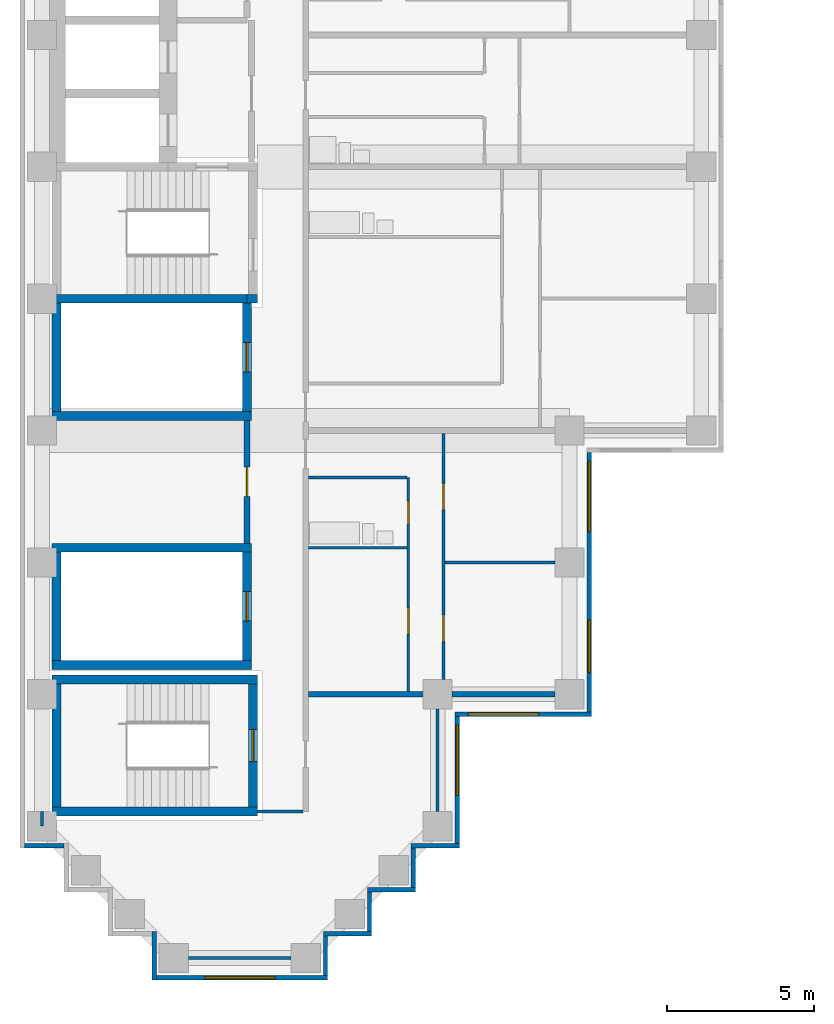
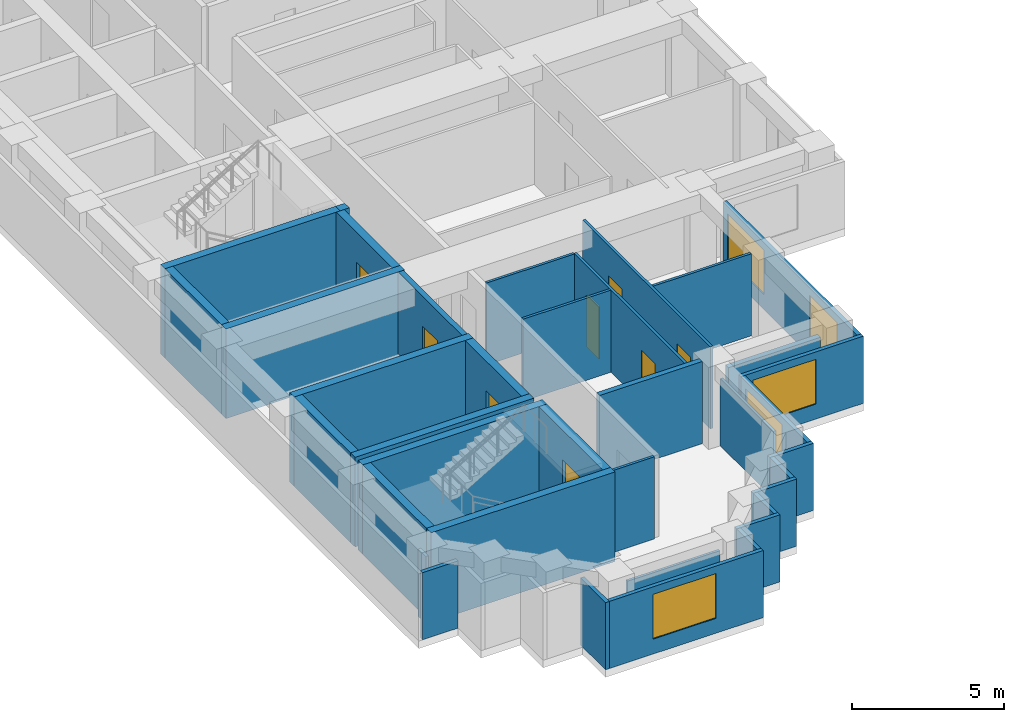
# One storey, part 2 of 11: 37 walls, 8 doors, 5 windows, 13 openings.
"""IFC4 building model written with IfcOpenShell, lengths in metres."""

import ifcopenshell
import ifcopenshell.guid

model = None  # the IFC model being written
_history = None  # IfcOwnerHistory: only IFC2X3 demands one
_inside = {}  # id of a spatial element -> (the spatial element, [elements in it])
_under = {}  # id of a project, library or spatial element -> (it, [spatial elements below it])
_declared = {}  # id of a project -> (the project, [libraries it declares])
_typed = {}  # id of a type object -> (the type object, [elements of that type])
_made_of = {}  # id of a material, layer set ... -> (it, [elements and type objects made of it])


def new_model(schema):
    """Start an empty IFC model of exactly this schema.

    Asked for "IFC4X3", IfcOpenShell would pick the latest addendum, in which some entities
    have other attributes; the version numbers below select the first issue.
    IFC2X3 requires an IfcOwnerHistory on every rooted entity: one is made here for all.
    """
    global model, _history
    if schema == "IFC4X3":
        model = ifcopenshell.file(schema_version=(4, 3, 0, 0))
    else:
        model = ifcopenshell.file(schema=schema)
    _inside.clear()
    _under.clear()
    _declared.clear()
    _typed.clear()
    _made_of.clear()
    _history = None
    if model.schema == "IFC2X3":
        org = make("IfcOrganization", Name="unknown")
        user = make(
            "IfcPersonAndOrganization",
            ThePerson=make("IfcPerson", FamilyName="unknown"),
            TheOrganization=org,
        )
        app = make(
            "IfcApplication",
            ApplicationDeveloper=org,
            Version="unknown",
            ApplicationFullName="unknown",
            ApplicationIdentifier="unknown",
        )
        _history = make(
            "IfcOwnerHistory",
            OwningUser=user,
            OwningApplication=app,
            ChangeAction="ADDED",
            CreationDate=0,
        )
    return model


def make(cls, **values):
    """One entity of the class cls with the attributes given. An attribute that is None is left unset."""
    return model.create_entity(
        cls, **{name: value for name, value in values.items() if value is not None}
    )


def rooted(cls, **values):
    """An entity with a GlobalId (a new one), such as an element, a storey or a relation."""
    return make(cls, GlobalId=ifcopenshell.guid.new(), OwnerHistory=_history, **values)


def si_unit(unit_type, name, prefix=None):
    """IfcSIUnit, for example si_unit("LENGTHUNIT", "METRE", prefix="MILLI")."""
    return make("IfcSIUnit", UnitType=unit_type, Prefix=prefix, Name=name)


def assignment(units):
    """IfcUnitAssignment: the units of a project."""
    return None if units is None else make("IfcUnitAssignment", Units=units)


def point(xyz):
    """IfcCartesianPoint."""
    return None if xyz is None else make("IfcCartesianPoint", Coordinates=xyz)


def direction(xyz):
    """IfcDirection."""
    return None if xyz is None else make("IfcDirection", DirectionRatios=xyz)


def frame(location, z_axis=None, x_axis=None):
    """IfcAxis2Placement3D, a coordinate frame: its origin and axes. An axis left out is left unset."""
    return make(
        "IfcAxis2Placement3D",
        Location=point(location),
        Axis=direction(z_axis),
        RefDirection=direction(x_axis),
    )


def frame_2d(location, x_axis=None):
    """IfcAxis2Placement2D, a coordinate frame in the plane: its origin and x axis."""
    return make(
        "IfcAxis2Placement2D", Location=point(location), RefDirection=direction(x_axis)
    )


def origin():
    """The frame at (0, 0, 0) with its axes left unset."""
    return frame((0.0, 0.0, 0.0))


def place(relative_to, where):
    """IfcLocalPlacement: puts the frame where relative to a parent placement (None: the world)."""
    return make(
        "IfcLocalPlacement", PlacementRelTo=relative_to, RelativePlacement=where
    )


def context(
    kind, dimensions, precision=None, world=None, true_north=None, identifier=None
):
    """IfcGeometricRepresentationContext, for example the 3D "Model" context."""
    return make(
        "IfcGeometricRepresentationContext",
        ContextIdentifier=identifier,
        ContextType=kind,
        CoordinateSpaceDimension=dimensions,
        Precision=precision,
        WorldCoordinateSystem=world,
        TrueNorth=true_north,
    )


def subcontext(parent, identifier, kind, view, scale=None):
    """IfcGeometricRepresentationSubContext, for example "Body" below "Model"."""
    return make(
        "IfcGeometricRepresentationSubContext",
        ContextIdentifier=identifier,
        ContextType=kind,
        ParentContext=parent,
        TargetScale=scale,
        TargetView=view,
    )


def project(units=None, contexts=None):
    """IfcProject with its units and contexts."""
    return rooted(
        "IfcProject",
        Name="project",
        RepresentationContexts=contexts,
        UnitsInContext=assignment(units),
    )


def spatial(cls, under=None, at=None, **own):
    """A site, building, storey or space (cls), placed at a placement, below another one or the project."""
    s = rooted(cls, ObjectPlacement=at, **own)
    if under is not None:
        _under.setdefault(under.id(), (under, []))[1].append(s)
    return s


def profile(cls, at=None, kind="AREA", **sizes):
    """A parametric profile (cls). Its sizes go by their IFC names, for example OverallWidth=200.0."""
    return make(cls, ProfileType=kind, Position=at, **sizes)


def rectangle(**sizes):
    """IfcRectangleProfileDef."""
    return profile("IfcRectangleProfileDef", **sizes)


def extrude(swept, where, along, depth):
    """IfcExtrudedAreaSolid: the profile swept, set in the frame where, extruded along a direction by depth."""
    return make(
        "IfcExtrudedAreaSolid",
        SweptArea=swept,
        Position=where,
        ExtrudedDirection=direction(along),
        Depth=depth,
    )


def shape(context_of_items, identifier, shape_type, items):
    """IfcShapeRepresentation: the items that make up one representation, for example the "Body"."""
    return make(
        "IfcShapeRepresentation",
        ContextOfItems=context_of_items,
        RepresentationIdentifier=identifier,
        RepresentationType=shape_type,
        Items=items,
    )


def material(Name=None, Category=None):
    """IfcMaterial."""
    return make("IfcMaterial", Name=Name, Category=Category)


def layer(
    of_material, thickness, ventilated=None, Name=None, Category=None, Priority=None
):
    """IfcMaterialLayer: one layer of a wall or slab, of a material (None: an air gap)."""
    return make(
        "IfcMaterialLayer",
        Material=of_material,
        LayerThickness=thickness,
        IsVentilated=ventilated,
        Name=Name,
        Category=Category,
        Priority=Priority,
    )


def layer_set(layers, Name=None):
    """IfcMaterialLayerSet."""
    return make("IfcMaterialLayerSet", MaterialLayers=layers, LayerSetName=Name)


def made_of(thing, what):
    """Note that an element or type object is made of a material, layer set ...; save() writes the relation."""
    if what is not None:
        _made_of.setdefault(what.id(), (what, []))[1].append(thing)
    return thing


def type_object(cls, material=None, **own):
    """A type object (cls), such as IfcWallType, which elements share."""
    return made_of(rooted(cls, **own), material)


def element(
    cls,
    number,
    at=None,
    inside=None,
    cuts=None,
    type_object=None,
    material=None,
    context=None,
    identifier="Body",
    shape_type=None,
    held_by="IfcProductDefinitionShape",
    body=None,
    shapes=None,
    **own,
):
    """One element of the class cls, such as IfcWall. Its Tag is "e" and its number.

    at: its placement. inside: the storey or other place that contains it. cuts: it is an
    opening in that element (IfcRelVoidsElement). A single representation is given by context,
    identifier, shape_type and body (its items); several are given by shapes. held_by: the class
    of the entity that holds the representations. save() writes the other relations.
    """
    e = rooted(cls, Tag="e%d" % number, ObjectPlacement=at, **own)
    if body is not None:
        shapes = [shape(context, identifier, shape_type, body)]
    if shapes is not None:
        e.Representation = make(held_by, Representations=shapes)
    if inside is not None:
        _inside.setdefault(inside.id(), (inside, []))[1].append(e)
    if cuts is not None:
        rooted(
            "IfcRelVoidsElement", RelatingBuildingElement=cuts, RelatedOpeningElement=e
        )
    if type_object is not None:
        _typed.setdefault(type_object.id(), (type_object, []))[1].append(e)
    return made_of(e, material)


def fill(opening, filler):
    """IfcRelFillsElement: the door or window that sits in an opening."""
    return rooted(
        "IfcRelFillsElement",
        RelatingOpeningElement=opening,
        RelatedBuildingElement=filler,
    )


def aggregate(whole, parts):
    """IfcRelAggregates: a whole, such as a stair, and the parts it consists of."""
    return rooted("IfcRelAggregates", RelatingObject=whole, RelatedObjects=parts)


def save(model, path):
    """Write the relations noted so far, then the file.

    IfcRelAggregates (storeys below a building ...), IfcRelContainedInSpatialStructure (elements
    in a storey), IfcRelDefinesByType, IfcRelAssociatesMaterial and IfcRelDeclares: one each for
    every whole, place, type object, material and project.
    """
    for whole, parts in _under.values():
        aggregate(whole, parts)
    for where, things in _inside.values():
        rooted(
            "IfcRelContainedInSpatialStructure",
            RelatedElements=things,
            RelatingStructure=where,
        )
    for kind, things in _typed.values():
        rooted("IfcRelDefinesByType", RelatedObjects=things, RelatingType=kind)
    for what, things in _made_of.values():
        rooted("IfcRelAssociatesMaterial", RelatedObjects=things, RelatingMaterial=what)
    for by, libraries in _declared.values():
        rooted("IfcRelDeclares", RelatingContext=by, RelatedDefinitions=libraries)
    model.write(path)


model = new_model("IFC4")

# Units and contexts
model_context = context("Model", 3, precision=1e-05, world=origin(), true_north=direction((0.0, 1.0)))
body_context = subcontext(model_context, "Body", "Model", "MODEL_VIEW")
ifc_project = project(units=[si_unit("LENGTHUNIT", "METRE"), si_unit("AREAUNIT", "SQUARE_METRE"), si_unit("VOLUMEUNIT", "CUBIC_METRE"), si_unit("PLANEANGLEUNIT", "RADIAN"), si_unit("MASSUNIT", "GRAM", prefix="KILO")], contexts=[model_context])

# Site, building, storey
site_placement = place(None, origin())
site = spatial("IfcSite", under=ifc_project, at=site_placement, CompositionType="ELEMENT")
building_placement = place(site_placement, origin())
building = spatial("IfcBuilding", under=site, at=building_placement, Name="Firuza Court", CompositionType="ELEMENT")
storey_placement = place(building_placement, frame((0.0, 0.0, 130.39990234375)))
storey = spatial("IfcBuildingStorey", under=building, at=storey_placement, Name="L32", CompositionType="ELEMENT", Elevation=130.39990234375)

# Walls
ifc_material_1 = material(Name="Moisture-resistant gypsum board partition")
ifc_layer_1 = layer(ifc_material_1, 0.10009765625)
ifc_layer_set_1 = layer_set([ifc_layer_1], Name="Moisture-resistant gypsum board partition")
wall_type_1 = type_object("IfcWallType", Name="Bathroom partition 100", PredefinedType="PLUMBINGWALL", material=ifc_layer_set_1)
for number, where, z_axis, x_axis, name in (
    (1, (9.10009765625, 14.0, 0.0), (0.0, 0.0, 1.0), (1.0, 0.0, 0.0), "Bathroom partition 100 L32"),
    (2, (9.10009765625, 16.39990234375, 0.0), (0.0, 0.0, 1.0), (1.0, 0.0, 0.0), "Bathroom partition 100 L32"),
):
    element("IfcWall", number, at=place(storey_placement, frame(where, z_axis=z_axis, x_axis=x_axis)), inside=storey, type_object=wall_type_1, Name=name, PredefinedType="PLUMBINGWALL", context=body_context, shape_type="SweptSolid", body=[
        extrude(rectangle(XDim=3.349853515625, YDim=0.10009765625, at=frame_2d((1.6748046875, 0.0))), origin(), (0.0, 0.0, 1.0), 3.300048828125),
    ])
ifc_material_2 = material(Name="Concrete C60/75", Category="concrete")
ifc_layer_2 = layer(ifc_material_2, 0.300048828125)
ifc_layer_set_2 = layer_set([ifc_layer_2], Name="Concrete C60/75")
wall_type_2 = type_object("IfcWallType", Name="Core wall 300 C60/75", PredefinedType="SHEAR", material=ifc_layer_set_2)
for number, where, z_axis, x_axis, name in (
    (3, (0.35009765625, 5.0, -0.2998046875), (0.0, 0.0, 1.0), (1.0, 0.0, 0.0), "Core wall stair L32"),
    (4, (0.35009765625, 9.5, -0.2998046875), (0.0, 0.0, 1.0), (1.0, 0.0, 0.0), "Core wall stair L32"),
):
    element("IfcWall", number, at=place(storey_placement, frame(where, z_axis=z_axis, x_axis=x_axis)), inside=storey, type_object=wall_type_2, Name=name, PredefinedType="SHEAR", context=body_context, shape_type="SweptSolid", body=[
        extrude(rectangle(XDim=7.0, YDim=0.300048828125, at=frame_2d((3.5, 0.0))), origin(), (0.0, 0.0, 1.0), 3.599853515625),
    ])
for number, where, z_axis, x_axis, name in (
    (5, (0.35009765625, 10.0, -0.2998046875), (0.0, 0.0, 1.0), (1.0, 0.0, 0.0), "Core wall riser L32"),
    (6, (0.35009765625, 14.0, -0.2998046875), (0.0, 0.0, 1.0), (1.0, 0.0, 0.0), "Core wall riser L32"),
    (7, (0.35009765625, 18.5, -0.2998046875), (0.0, 0.0, 1.0), (1.0, 0.0, 0.0), "Core wall riser L32"),
):
    element("IfcWall", number, at=place(storey_placement, frame(where, z_axis=z_axis, x_axis=x_axis)), inside=storey, type_object=wall_type_2, Name=name, PredefinedType="SHEAR", context=body_context, shape_type="SweptSolid", body=[
        extrude(rectangle(XDim=6.7998046875, YDim=0.300048828125, at=frame_2d((3.39990234375, 0.0))), origin(), (0.0, 0.0, 1.0), 3.599853515625),
    ])
wall_1_placement = place(storey_placement, frame((0.35009765625, 22.5, -0.2998046875), z_axis=(0.0, 0.0, 1.0), x_axis=(1.0, 0.0, 0.0)))
element("IfcWall", 8, at=wall_1_placement, inside=storey, type_object=wall_type_2, Name="Core wall riser L32", PredefinedType="SHEAR", context=body_context, shape_type="SweptSolid", body=[
    extrude(rectangle(XDim=6.64990234375, YDim=0.300048828125, at=frame_2d((3.324951171875, 0.0))), origin(), (0.0, 0.0, 1.0), 3.599853515625),
])
wall_2_placement = place(storey_placement, frame((0.5, 5.14990234375, -0.2998046875), z_axis=(0.0, 0.0, 1.0), x_axis=(0.0, 1.0, 0.0)))
element("IfcWall", 9, at=wall_2_placement, inside=storey, type_object=wall_type_2, Name="Core wall stair L32", PredefinedType="SHEAR", context=body_context, shape_type="SweptSolid", body=[
    extrude(rectangle(XDim=4.2001953125, YDim=0.300048828125, at=frame_2d((2.10009765625, 0.0))), origin(), (0.0, 0.0, 1.0), 3.599853515625),
])
for number, where, z_axis, x_axis, name in (
    (10, (0.5, 10.14990234375, -0.2998046875), (0.0, 0.0, 1.0), (0.0, 1.0, 0.0), "Core wall riser L32"),
    (11, (0.5, 18.64990234375, -0.2998046875), (0.0, 0.0, 1.0), (0.0, 1.0, 0.0), "Core wall riser L32"),
):
    element("IfcWall", number, at=place(storey_placement, frame(where, z_axis=z_axis, x_axis=x_axis)), inside=storey, type_object=wall_type_2, Name=name, PredefinedType="SHEAR", context=body_context, shape_type="SweptSolid", body=[
        extrude(rectangle(XDim=3.7001953125, YDim=0.300048828125, at=frame_2d((1.85009765625, 0.0))), origin(), (0.0, 0.0, 1.0), 3.599853515625),
    ])

# Wall, opening, door
wall_3_placement = place(storey_placement, frame((7.0, 10.14990234375, -0.2998046875), z_axis=(0.0, 0.0, 1.0), x_axis=(0.0, 1.0, 0.0)))
wall_3 = element("IfcWall", 12, at=wall_3_placement, inside=storey, type_object=wall_type_2, Name="Core wall riser L32", PredefinedType="SHEAR", context=body_context, shape_type="SweptSolid", body=[
    extrude(rectangle(XDim=3.7001953125, YDim=0.300048828125, at=frame_2d((1.85009765625, 0.0))), origin(), (0.0, 0.0, 1.0), 3.599853515625),
])
opening_1_placement = place(wall_3_placement, frame((1.35009765625, 0.0, 0.300048828125)))
opening_1 = element("IfcOpeningElement", 13, at=opening_1_placement, cuts=wall_3, Name="Opening D32011", PredefinedType="OPENING", context=body_context, shape_type="SweptSolid", body=[
    extrude(rectangle(XDim=1.0, YDim=2.10009765625, at=frame_2d((0.5, 1.050048828125))), frame((0.0, 0.162109375, 0.0), z_axis=(0.0, -1.0, 0.0), x_axis=(1.0, 0.0, 0.0)), (0.0, 0.0, 1.0), 0.323974609375),
])
ifc_material_3 = material(Name="Timber door leaf in hardwood frame", Category="wood")
door_type_1 = type_object("IfcDoorType", Name="Riser door 1000", OperationType="SINGLE_SWING_LEFT", PredefinedType="DOOR", material=ifc_material_3)
door_1_placement = place(opening_1_placement, origin())
door_1 = element("IfcDoor", 14, at=door_1_placement, inside=storey, type_object=door_type_1, Name="Riser door R4", OperationType="SINGLE_SWING_LEFT", OverallHeight=2.10009765625, OverallWidth=1.0, PredefinedType="DOOR", context=body_context, shape_type="SweptSolid", body=[
    extrude(rectangle(XDim=1.0, YDim=2.10009765625, at=frame_2d((0.5, 1.050048828125))), frame((0.0, 0.02490234375, 0.0), z_axis=(0.0, -1.0, 0.0), x_axis=(1.0, 0.0, 0.0)), (0.0, 0.0, 1.0), 0.050048828125),
])
fill(opening_1, door_1)

wall_4_placement = place(storey_placement, frame((7.0, 18.64990234375, -0.2998046875), z_axis=(0.0, 0.0, 1.0), x_axis=(0.0, 1.0, 0.0)))
wall_4 = element("IfcWall", 15, at=wall_4_placement, inside=storey, type_object=wall_type_2, Name="Core wall riser L32", PredefinedType="SHEAR", context=body_context, shape_type="SweptSolid", body=[
    extrude(rectangle(XDim=3.7001953125, YDim=0.300048828125, at=frame_2d((1.85009765625, 0.0))), origin(), (0.0, 0.0, 1.0), 3.599853515625),
])
opening_2_placement = place(wall_4_placement, frame((1.35009765625, 0.0, 0.300048828125)))
opening_2 = element("IfcOpeningElement", 16, at=opening_2_placement, cuts=wall_4, Name="Opening D32009", PredefinedType="OPENING", context=body_context, shape_type="SweptSolid", body=[
    extrude(rectangle(XDim=1.0, YDim=2.10009765625, at=frame_2d((0.5, 1.050048828125))), frame((0.0, 0.162109375, 0.0), z_axis=(0.0, -1.0, 0.0), x_axis=(1.0, 0.0, 0.0)), (0.0, 0.0, 1.0), 0.323974609375),
])
door_2_placement = place(opening_2_placement, origin())
door_2 = element("IfcDoor", 17, at=door_2_placement, inside=storey, type_object=door_type_1, Name="Riser door R1", OperationType="SINGLE_SWING_LEFT", OverallHeight=2.10009765625, OverallWidth=1.0, PredefinedType="DOOR", context=body_context, shape_type="SweptSolid", body=[
    extrude(rectangle(XDim=1.0, YDim=2.10009765625, at=frame_2d((0.5, 1.050048828125))), frame((0.0, 0.02490234375, 0.0), z_axis=(0.0, -1.0, 0.0), x_axis=(1.0, 0.0, 0.0)), (0.0, 0.0, 1.0), 0.050048828125),
])
fill(opening_2, door_2)

# Wall
wall_5_placement = place(storey_placement, frame((7.0, 22.5, -0.2998046875), z_axis=(0.0, 0.0, 1.0), x_axis=(1.0, 0.0, 0.0)))
element("IfcWall", 18, at=wall_5_placement, inside=storey, type_object=wall_type_2, Name="Core wall stair L32", PredefinedType="SHEAR", context=body_context, shape_type="SweptSolid", body=[
    extrude(rectangle(XDim=0.35009765625, YDim=0.300048828125, at=frame_2d((0.175048828125, 0.0))), origin(), (0.0, 0.0, 1.0), 3.599853515625),
])

# Wall, opening, door
wall_6_placement = place(storey_placement, frame((7.199951171875, 5.14990234375, -0.2998046875), z_axis=(0.0, 0.0, 1.0), x_axis=(0.0, 1.0, 0.0)))
wall_6 = element("IfcWall", 19, at=wall_6_placement, inside=storey, type_object=wall_type_2, Name="Core wall stair L32", PredefinedType="SHEAR", context=body_context, shape_type="SweptSolid", body=[
    extrude(rectangle(XDim=4.2001953125, YDim=0.300048828125, at=frame_2d((2.10009765625, 0.0))), origin(), (0.0, 0.0, 1.0), 3.599853515625),
])
opening_3_placement = place(wall_6_placement, frame((1.550048828125, 0.0, 0.300048828125)))
opening_3 = element("IfcOpeningElement", 20, at=opening_3_placement, cuts=wall_6, Name="Opening D32017", PredefinedType="OPENING", context=body_context, shape_type="SweptSolid", body=[
    extrude(rectangle(XDim=1.10009765625, YDim=2.10009765625, at=frame_2d((0.550048828125, 1.050048828125))), frame((0.0, 0.162109375, 0.0), z_axis=(0.0, -1.0, 0.0), x_axis=(1.0, 0.0, 0.0)), (0.0, 0.0, 1.0), 0.323974609375),
])
ifc_material_4 = material(Name="Timber door leaf in hardwood frame", Category="wood")
door_type_2 = type_object("IfcDoorType", Name="Stair door 1100", OperationType="SINGLE_SWING_LEFT", PredefinedType="DOOR", material=ifc_material_4)
door_3_placement = place(opening_3_placement, origin())
door_3 = element("IfcDoor", 21, at=door_3_placement, inside=storey, type_object=door_type_2, Name="Stair door S5", OperationType="SINGLE_SWING_LEFT", OverallHeight=2.10009765625, OverallWidth=1.10009765625, PredefinedType="DOOR", context=body_context, shape_type="SweptSolid", body=[
    extrude(rectangle(XDim=1.10009765625, YDim=2.10009765625, at=frame_2d((0.550048828125, 1.050048828125))), frame((0.0, 0.02490234375, 0.0), z_axis=(0.0, -1.0, 0.0), x_axis=(1.0, 0.0, 0.0)), (0.0, 0.0, 1.0), 0.050048828125),
])
fill(opening_3, door_3)

ifc_material_5 = material(Name="Blockwork, plastered both sides", Category="masonry")
ifc_layer_3 = layer(ifc_material_5, 0.199951171875)
ifc_layer_set_3 = layer_set([ifc_layer_3], Name="Blockwork, plastered both sides")
wall_type_3 = type_object("IfcWallType", Name="Corridor wall 200", PredefinedType="PARTITIONING", material=ifc_layer_set_3)
wall_7_placement = place(storey_placement, frame((7.0, 14.14990234375, 0.0), z_axis=(0.0, 0.0, 1.0), x_axis=(0.0, 1.0, 0.0)))
wall_7 = element("IfcWall", 22, at=wall_7_placement, inside=storey, type_object=wall_type_3, Name="Corridor wall 200 L32", PredefinedType="PARTITIONING", context=body_context, shape_type="SweptSolid", body=[
    extrude(rectangle(XDim=4.2001953125, YDim=0.199951171875, at=frame_2d((2.10009765625, 0.0))), origin(), (0.0, 0.0, 1.0), 3.300048828125),
])
opening_4_placement = place(wall_7_placement, frame((1.60009765625, 0.0, 0.0)))
opening_4 = element("IfcOpeningElement", 23, at=opening_4_placement, cuts=wall_7, Name="Opening D32026", PredefinedType="OPENING", context=body_context, shape_type="SweptSolid", body=[
    extrude(rectangle(XDim=1.0, YDim=2.10009765625, at=frame_2d((0.5, 1.050048828125))), frame((0.0, 0.11181640625, 0.0), z_axis=(0.0, -1.0, 0.0), x_axis=(1.0, 0.0, 0.0)), (0.0, 0.0, 1.0), 0.223876953125),
])
ifc_material_6 = material(Name="Timber door leaf in hardwood frame", Category="wood")
door_type_3 = type_object("IfcDoorType", Name="Store door 1000", OperationType="SINGLE_SWING_LEFT", PredefinedType="DOOR", material=ifc_material_6)
door_4_placement = place(opening_4_placement, origin())
door_4 = element("IfcDoor", 24, at=door_4_placement, inside=storey, type_object=door_type_3, Name="Comms room door", OperationType="SINGLE_SWING_LEFT", OverallHeight=2.10009765625, OverallWidth=1.0, PredefinedType="DOOR", context=body_context, shape_type="SweptSolid", body=[
    extrude(rectangle(XDim=1.0, YDim=2.10009765625, at=frame_2d((0.5, 1.050048828125))), frame((0.0, 0.02490234375, 0.0), z_axis=(0.0, -1.0, 0.0), x_axis=(1.0, 0.0, 0.0)), (0.0, 0.0, 1.0), 0.050048828125),
])
fill(opening_4, door_4)

# Walls
ifc_material_7 = material(Name="Timber stud partition, plasterboard both sides", Category="wood")
ifc_layer_4 = layer(ifc_material_7, 0.10009765625)
ifc_layer_set_4 = layer_set([ifc_layer_4], Name="Timber stud partition, plasterboard both sides")
wall_type_4 = type_object("IfcWallType", Name="Partition wall 100", PredefinedType="PARTITIONING", material=ifc_layer_set_4)
wall_8_placement = place(storey_placement, frame((5.0, 0.0, 0.0), z_axis=(0.0, 0.0, 1.0), x_axis=(1.0, 0.0, 0.0)))
element("IfcWall", 25, at=wall_8_placement, inside=storey, type_object=wall_type_4, Name="Partition wall 100 L32", PredefinedType="PARTITIONING", context=body_context, shape_type="SweptSolid", body=[
    extrude(rectangle(XDim=3.5, YDim=0.10009765625, at=frame_2d((1.75, 0.0))), origin(), (0.0, 0.0, 1.0), 2.7001953125),
])
wall_9_placement = place(storey_placement, frame((0.0, 4.5, 0.0), z_axis=(0.0, 0.0, 1.0), x_axis=(0.0, 1.0, 0.0)))
element("IfcWall", 26, at=wall_9_placement, inside=storey, type_object=wall_type_4, Name="Partition wall 100 L32", PredefinedType="PARTITIONING", context=body_context, shape_type="SweptSolid", body=[
    extrude(rectangle(XDim=0.5, YDim=0.10009765625, at=frame_2d((0.25, 0.0))), origin(), (0.0, 0.0, 1.0), 2.7001953125),
])
wall_10_placement = place(storey_placement, frame((7.34912109375, 5.0, 0.0), z_axis=(0.0, 0.0, 1.0), x_axis=(1.0, 0.0, 0.0)))
element("IfcWall", 27, at=wall_10_placement, inside=storey, type_object=wall_type_4, Name="Partition wall 100 L32", PredefinedType="PARTITIONING", context=body_context, shape_type="SweptSolid", body=[
    extrude(rectangle(XDim=1.55078125, YDim=0.10009765625, at=frame_2d((0.775390625, 0.0))), origin(), (0.0, 0.0, 1.0), 3.300048828125),
])
wall_11_placement = place(storey_placement, frame((13.5, 5.0, 0.0), z_axis=(0.0, 0.0, 1.0), x_axis=(0.0, 1.0, 0.0)))
element("IfcWall", 28, at=wall_11_placement, inside=storey, type_object=wall_type_4, Name="Partition wall 100 L32", PredefinedType="PARTITIONING", context=body_context, shape_type="SweptSolid", body=[
    extrude(rectangle(XDim=3.5, YDim=0.10009765625, at=frame_2d((1.75, 0.0))), origin(), (0.0, 0.0, 1.0), 2.7001953125),
])

# Wall, openings, doors
wall_12_placement = place(storey_placement, frame((12.5, 9.10009765625, 0.0), z_axis=(0.0, 0.0, 1.0), x_axis=(0.0, 1.0, 0.0)))
wall_12 = element("IfcWall", 29, at=wall_12_placement, inside=storey, type_object=wall_type_4, Name="Partition wall 100 L32", PredefinedType="PARTITIONING", context=body_context, shape_type="SweptSolid", body=[
    extrude(rectangle(XDim=7.2998046875, YDim=0.10009765625, at=frame_2d((3.64990234375, 0.0))), origin(), (0.0, 0.0, 1.0), 3.300048828125),
])
opening_5_placement = place(wall_12_placement, frame((5.699951171875, 0.0, 0.0)))
opening_5 = element("IfcOpeningElement", 30, at=opening_5_placement, cuts=wall_12, Name="Opening D32022", PredefinedType="OPENING", context=body_context, shape_type="SweptSolid", body=[
    extrude(rectangle(XDim=0.800048828125, YDim=2.10009765625, at=frame_2d((0.39990234375, 1.050048828125))), frame((0.0, 0.06201171875, 0.0), z_axis=(0.0, -1.0, 0.0), x_axis=(1.0, 0.0, 0.0)), (0.0, 0.0, 1.0), 0.1240234375),
])
opening_6_placement = place(wall_12_placement, frame((1.949951171875, 0.0, 0.0)))
opening_6 = element("IfcOpeningElement", 31, at=opening_6_placement, cuts=wall_12, Name="Opening D32023", PredefinedType="OPENING", context=body_context, shape_type="SweptSolid", body=[
    extrude(rectangle(XDim=0.89990234375, YDim=2.10009765625, at=frame_2d((0.449951171875, 1.050048828125))), frame((0.0, 0.06201171875, 0.0), z_axis=(0.0, -1.0, 0.0), x_axis=(1.0, 0.0, 0.0)), (0.0, 0.0, 1.0), 0.1240234375),
])
ifc_material_8 = material(Name="Timber door leaf in hardwood frame", Category="wood")
door_type_4 = type_object("IfcDoorType", Name="Bathroom door 800", OperationType="SINGLE_SWING_LEFT", PredefinedType="DOOR", material=ifc_material_8)
door_5_placement = place(opening_5_placement, origin())
door_5 = element("IfcDoor", 32, at=door_5_placement, inside=storey, type_object=door_type_4, Name="Bathroom door", OperationType="SINGLE_SWING_LEFT", OverallHeight=2.10009765625, OverallWidth=0.800048828125, PredefinedType="DOOR", context=body_context, shape_type="SweptSolid", body=[
    extrude(rectangle(XDim=0.800048828125, YDim=2.10009765625, at=frame_2d((0.39990234375, 1.050048828125))), frame((0.0, 0.02490234375, 0.0), z_axis=(0.0, -1.0, 0.0), x_axis=(1.0, 0.0, 0.0)), (0.0, 0.0, 1.0), 0.050048828125),
])
fill(opening_5, door_5)
ifc_material_9 = material(Name="Timber door leaf in hardwood frame", Category="wood")
door_type_5 = type_object("IfcDoorType", Name="Room door 900", OperationType="SINGLE_SWING_LEFT", PredefinedType="DOOR", material=ifc_material_9)
door_6_placement = place(opening_6_placement, origin())
door_6 = element("IfcDoor", 33, at=door_6_placement, inside=storey, type_object=door_type_5, Name="Kitchen door", OperationType="SINGLE_SWING_LEFT", OverallHeight=2.10009765625, OverallWidth=0.89990234375, PredefinedType="DOOR", context=body_context, shape_type="SweptSolid", body=[
    extrude(rectangle(XDim=0.89990234375, YDim=2.10009765625, at=frame_2d((0.449951171875, 1.050048828125))), frame((0.0, 0.02490234375, 0.0), z_axis=(0.0, -1.0, 0.0), x_axis=(1.0, 0.0, 0.0)), (0.0, 0.0, 1.0), 0.050048828125),
])
fill(opening_6, door_6)

wall_13_placement = place(storey_placement, frame((13.699951171875, 9.5, 0.0), z_axis=(0.0, 0.0, 1.0), x_axis=(0.0, 1.0, 0.0)))
wall_13 = element("IfcWall", 34, at=wall_13_placement, inside=storey, type_object=wall_type_4, Name="Partition wall 100 L32", PredefinedType="PARTITIONING", context=body_context, shape_type="SweptSolid", body=[
    extrude(rectangle(XDim=8.39990234375, YDim=0.10009765625, at=frame_2d((4.199951171875, 0.0))), origin(), (0.0, 0.0, 1.0), 3.300048828125),
])
opening_7_placement = place(wall_13_placement, frame((1.300048828125, 0.0, 0.0)))
opening_7 = element("IfcOpeningElement", 35, at=opening_7_placement, cuts=wall_13, Name="Opening D32024", PredefinedType="OPENING", context=body_context, shape_type="SweptSolid", body=[
    extrude(rectangle(XDim=0.89990234375, YDim=2.10009765625, at=frame_2d((0.449951171875, 1.050048828125))), frame((0.0, 0.06201171875, 0.0), z_axis=(0.0, -1.0, 0.0), x_axis=(1.0, 0.0, 0.0)), (0.0, 0.0, 1.0), 0.1240234375),
])
opening_8_placement = place(wall_13_placement, frame((5.800048828125, 0.0, 0.0)))
opening_8 = element("IfcOpeningElement", 36, at=opening_8_placement, cuts=wall_13, Name="Opening D32025", PredefinedType="OPENING", context=body_context, shape_type="SweptSolid", body=[
    extrude(rectangle(XDim=0.89990234375, YDim=2.10009765625, at=frame_2d((0.449951171875, 1.050048828125))), frame((0.0, 0.06201171875, 0.0), z_axis=(0.0, -1.0, 0.0), x_axis=(1.0, 0.0, 0.0)), (0.0, 0.0, 1.0), 0.1240234375),
])
door_7_placement = place(opening_7_placement, frame((0.89990234375, 0.0, 0.0), z_axis=(0.0, 0.0, 1.0), x_axis=(-1.0, 0.0, 0.0)))
door_7 = element("IfcDoor", 37, at=door_7_placement, inside=storey, type_object=door_type_5, Name="Bedroom door", OperationType="SINGLE_SWING_RIGHT", OverallHeight=2.10009765625, OverallWidth=0.89990234375, PredefinedType="DOOR", context=body_context, shape_type="SweptSolid", body=[
    extrude(rectangle(XDim=0.89990234375, YDim=2.10009765625, at=frame_2d((0.449951171875, 1.050048828125))), frame((0.0, 0.02490234375, 0.0), z_axis=(0.0, -1.0, 0.0), x_axis=(1.0, 0.0, 0.0)), (0.0, 0.0, 1.0), 0.050048828125),
])
fill(opening_7, door_7)
door_8_placement = place(opening_8_placement, frame((0.89990234375, 0.0, 0.0), z_axis=(0.0, 0.0, 1.0), x_axis=(-1.0, 0.0, 0.0)))
door_8 = element("IfcDoor", 38, at=door_8_placement, inside=storey, type_object=door_type_5, Name="Living room door", OperationType="SINGLE_SWING_RIGHT", OverallHeight=2.10009765625, OverallWidth=0.89990234375, PredefinedType="DOOR", context=body_context, shape_type="SweptSolid", body=[
    extrude(rectangle(XDim=0.89990234375, YDim=2.10009765625, at=frame_2d((0.449951171875, 1.050048828125))), frame((0.0, 0.02490234375, 0.0), z_axis=(0.0, -1.0, 0.0), x_axis=(1.0, 0.0, 0.0)), (0.0, 0.0, 1.0), 0.050048828125),
])
fill(opening_8, door_8)

# Walls
wall_14_placement = place(storey_placement, frame((13.75, 13.5, 0.0), z_axis=(0.0, 0.0, 1.0), x_axis=(1.0, 0.0, 0.0)))
element("IfcWall", 39, at=wall_14_placement, inside=storey, type_object=wall_type_4, Name="Partition wall 100 L32", PredefinedType="PARTITIONING", context=body_context, shape_type="SweptSolid", body=[
    extrude(rectangle(XDim=3.75, YDim=0.10009765625, at=frame_2d((1.875, 0.0))), origin(), (0.0, 0.0, 1.0), 3.300048828125),
])
ifc_layer_5 = layer(ifc_material_5, 0.199951171875)
ifc_layer_set_5 = layer_set([ifc_layer_5], Name="Blockwork, plastered both sides")
wall_type_5 = type_object("IfcWallType", Name="Party wall 200", PredefinedType="PARTITIONING", material=ifc_layer_set_5)
wall_15_placement = place(storey_placement, frame((9.10009765625, 9.0, 0.0), z_axis=(0.0, 0.0, 1.0), x_axis=(1.0, 0.0, 0.0)))
element("IfcWall", 40, at=wall_15_placement, inside=storey, type_object=wall_type_5, Name="Party wall 200 L32", PredefinedType="PARTITIONING", context=body_context, shape_type="SweptSolid", body=[
    extrude(rectangle(XDim=3.89990234375, YDim=0.199951171875, at=frame_2d((1.949951171875, 0.0))), origin(), (0.0, 0.0, 1.0), 3.300048828125),
])
wall_16_placement = place(storey_placement, frame((14.0, 9.0, 0.0), z_axis=(0.0, 0.0, 1.0), x_axis=(1.0, 0.0, 0.0)))
element("IfcWall", 41, at=wall_16_placement, inside=storey, type_object=wall_type_5, Name="Party wall 200 L32", PredefinedType="PARTITIONING", context=body_context, shape_type="SweptSolid", body=[
    extrude(rectangle(XDim=3.5, YDim=0.199951171875, at=frame_2d((1.75, 0.0))), origin(), (0.0, 0.0, 1.0), 2.7001953125),
])
ifc_material_10 = material(Name="Ceramic tile", Category="ceramic")
ifc_layer_6 = layer(ifc_material_10, 0.02001953125)
ifc_material_11 = material(Name="Mineral wool insulation", Category="insulation")
ifc_layer_7 = layer(ifc_material_11, 0.050048828125)
ifc_material_12 = material(Name="Concrete C40/50 precast", Category="concrete")
ifc_layer_8 = layer(ifc_material_12, 0.080078125)
ifc_layer_set_6 = layer_set([ifc_layer_6, ifc_layer_7, ifc_layer_8], Name="Concrete C40/50 precast")
wall_type_6 = type_object("IfcWallType", Name="Precast cladding wall with turquoise TILE PANEL face 150", PredefinedType="STANDARD", material=ifc_layer_set_6)
wall_17_placement = place(storey_placement, frame((9.675048828125, -0.60009765625, 0.0), z_axis=(0.0, 0.0, 1.0), x_axis=(0.0, 1.0, 0.0)))
element("IfcWall", 42, at=wall_17_placement, inside=storey, type_object=wall_type_6, Name="Facade wall L32 E", PredefinedType="STANDARD", context=body_context, shape_type="SweptSolid", body=[
    extrude(rectangle(XDim=1.35009765625, YDim=0.14990234375, at=frame_2d((0.675048828125, 0.0))), origin(), (0.0, 0.0, 1.0), 2.7001953125),
])
wall_18_placement = place(storey_placement, frame((9.60009765625, 0.824951171875, 0.0), z_axis=(0.0, 0.0, 1.0), x_axis=(1.0, 0.0, 0.0)))
element("IfcWall", 43, at=wall_18_placement, inside=storey, type_object=wall_type_6, Name="Facade wall L32 S", PredefinedType="STANDARD", context=body_context, shape_type="SweptSolid", body=[
    extrude(rectangle(XDim=1.64990234375, YDim=0.14990234375, at=frame_2d((0.824951171875, 0.0))), origin(), (0.0, 0.0, 1.0), 2.7001953125),
])
wall_19_placement = place(storey_placement, frame((11.175048828125, 0.89990234375, 0.0), z_axis=(0.0, 0.0, 1.0), x_axis=(0.0, 1.0, 0.0)))
element("IfcWall", 44, at=wall_19_placement, inside=storey, type_object=wall_type_6, Name="Facade wall L32 E", PredefinedType="STANDARD", context=body_context, shape_type="SweptSolid", body=[
    extrude(rectangle(XDim=1.35009765625, YDim=0.14990234375, at=frame_2d((0.675048828125, 0.0))), origin(), (0.0, 0.0, 1.0), 2.7001953125),
])
wall_20_placement = place(storey_placement, frame((11.10009765625, 2.324951171875, 0.0), z_axis=(0.0, 0.0, 1.0), x_axis=(1.0, 0.0, 0.0)))
element("IfcWall", 45, at=wall_20_placement, inside=storey, type_object=wall_type_6, Name="Facade wall L32 S", PredefinedType="STANDARD", context=body_context, shape_type="SweptSolid", body=[
    extrude(rectangle(XDim=1.64990234375, YDim=0.14990234375, at=frame_2d((0.824951171875, 0.0))), origin(), (0.0, 0.0, 1.0), 2.7001953125),
])
wall_21_placement = place(storey_placement, frame((12.675048828125, 2.39990234375, 0.0), z_axis=(0.0, 0.0, 1.0), x_axis=(0.0, 1.0, 0.0)))
element("IfcWall", 46, at=wall_21_placement, inside=storey, type_object=wall_type_6, Name="Facade wall L32 E", PredefinedType="STANDARD", context=body_context, shape_type="SweptSolid", body=[
    extrude(rectangle(XDim=1.35009765625, YDim=0.14990234375, at=frame_2d((0.675048828125, 0.0))), origin(), (0.0, 0.0, 1.0), 2.7001953125),
])
wall_22_placement = place(storey_placement, frame((12.60009765625, 3.824951171875, 0.0), z_axis=(0.0, 0.0, 1.0), x_axis=(1.0, 0.0, 0.0)))
element("IfcWall", 47, at=wall_22_placement, inside=storey, type_object=wall_type_6, Name="Facade wall L32 S", PredefinedType="STANDARD", context=body_context, shape_type="SweptSolid", body=[
    extrude(rectangle(XDim=1.64990234375, YDim=0.14990234375, at=frame_2d((0.824951171875, 0.0))), origin(), (0.0, 0.0, 1.0), 2.7001953125),
])

# Wall, opening, window
wall_23_placement = place(storey_placement, frame((14.175048828125, 3.89990234375, 0.0), z_axis=(0.0, 0.0, 1.0), x_axis=(0.0, 1.0, 0.0)))
wall_23 = element("IfcWall", 48, at=wall_23_placement, inside=storey, type_object=wall_type_6, Name="Facade wall L32 E", PredefinedType="STANDARD", context=body_context, shape_type="SweptSolid", body=[
    extrude(rectangle(XDim=4.35009765625, YDim=0.14990234375, at=frame_2d((2.175048828125, 0.0))), origin(), (0.0, 0.0, 1.0), 2.7001953125),
])
opening_9_placement = place(wall_23_placement, frame((1.64990234375, 0.0, 0.60009765625)))
opening_9 = element("IfcOpeningElement", 49, at=opening_9_placement, cuts=wall_23, Name="Opening W1", PredefinedType="OPENING", context=body_context, shape_type="SweptSolid", body=[
    extrude(rectangle(XDim=2.39990234375, YDim=1.800048828125, at=frame_2d((1.199951171875, 0.89990234375))), frame((0.0, 0.0869140625, 0.0), z_axis=(0.0, -1.0, 0.0), x_axis=(1.0, 0.0, 0.0)), (0.0, 0.0, 1.0), 0.173828125),
])
ifc_material_13 = material(Name="Aluminium frame, triple clear glazing", Category="aluminium")
window_type_1 = type_object("IfcWindowType", Name="Window W1 2400 x 1800", PartitioningType="SINGLE_PANEL", PredefinedType="WINDOW", material=ifc_material_13)
window_1_placement = place(opening_9_placement, origin())
window_1 = element("IfcWindow", 50, at=window_1_placement, inside=storey, type_object=window_type_1, Name="Window L32", OverallHeight=1.800048828125, OverallWidth=2.39990234375, PartitioningType="SINGLE_PANEL", PredefinedType="WINDOW", context=body_context, shape_type="SweptSolid", body=[
    extrude(rectangle(XDim=2.39990234375, YDim=1.800048828125, at=frame_2d((1.199951171875, 0.89990234375))), frame((0.0, 0.030029296875, 0.0), z_axis=(0.0, -1.0, 0.0), x_axis=(1.0, 0.0, 0.0)), (0.0, 0.0, 1.0), 0.06005859375),
])
fill(opening_9, window_1)

wall_24_placement = place(storey_placement, frame((14.10009765625, 8.324951171875, 0.0), z_axis=(0.0, 0.0, 1.0), x_axis=(1.0, 0.0, 0.0)))
wall_24 = element("IfcWall", 51, at=wall_24_placement, inside=storey, type_object=wall_type_6, Name="Facade wall L32 S", PredefinedType="STANDARD", context=body_context, shape_type="SweptSolid", body=[
    extrude(rectangle(XDim=4.64990234375, YDim=0.14990234375, at=frame_2d((2.324951171875, 0.0))), origin(), (0.0, 0.0, 1.0), 2.7001953125),
])
opening_10_placement = place(wall_24_placement, frame((0.449951171875, 0.0, 0.60009765625)))
opening_10 = element("IfcOpeningElement", 52, at=opening_10_placement, cuts=wall_24, Name="Opening W1", PredefinedType="OPENING", context=body_context, shape_type="SweptSolid", body=[
    extrude(rectangle(XDim=2.39990234375, YDim=1.800048828125, at=frame_2d((1.199951171875, 0.89990234375))), frame((0.0, 0.0869140625, 0.0), z_axis=(0.0, -1.0, 0.0), x_axis=(1.0, 0.0, 0.0)), (0.0, 0.0, 1.0), 0.173828125),
])
window_2_placement = place(opening_10_placement, origin())
window_2 = element("IfcWindow", 53, at=window_2_placement, inside=storey, type_object=window_type_1, Name="Window L32", OverallHeight=1.800048828125, OverallWidth=2.39990234375, PartitioningType="SINGLE_PANEL", PredefinedType="WINDOW", context=body_context, shape_type="SweptSolid", body=[
    extrude(rectangle(XDim=2.39990234375, YDim=1.800048828125, at=frame_2d((1.199951171875, 0.89990234375))), frame((0.0, 0.030029296875, 0.0), z_axis=(0.0, -1.0, 0.0), x_axis=(1.0, 0.0, 0.0)), (0.0, 0.0, 1.0), 0.06005859375),
])
fill(opening_10, window_2)

# Wall, openings, windows
wall_25_placement = place(storey_placement, frame((18.675048828125, 8.39990234375, 0.0), z_axis=(0.0, 0.0, 1.0), x_axis=(0.0, 1.0, 0.0)))
wall_25 = element("IfcWall", 54, at=wall_25_placement, inside=storey, type_object=wall_type_6, Name="Facade wall L32 E", PredefinedType="STANDARD", context=body_context, shape_type="SweptSolid", body=[
    extrude(rectangle(XDim=8.85009765625, YDim=0.14990234375, at=frame_2d((4.425048828125, 0.0))), origin(), (0.0, 0.0, 1.0), 2.7001953125),
])
opening_11_placement = place(wall_25_placement, frame((1.341796875, 0.0, 0.60009765625)))
opening_11 = element("IfcOpeningElement", 55, at=opening_11_placement, cuts=wall_25, Name="Opening W7", PredefinedType="OPENING", context=body_context, shape_type="SweptSolid", body=[
    extrude(rectangle(XDim=1.800048828125, YDim=1.800048828125, at=frame_2d((0.89990234375, 0.89990234375))), frame((0.0, 0.0869140625, 0.0), z_axis=(0.0, -1.0, 0.0), x_axis=(1.0, 0.0, 0.0)), (0.0, 0.0, 1.0), 0.173828125),
])
opening_12_placement = place(wall_25_placement, frame((6.14990234375, 0.0, 0.60009765625)))
opening_12 = element("IfcOpeningElement", 56, at=opening_12_placement, cuts=wall_25, Name="Opening W1", PredefinedType="OPENING", context=body_context, shape_type="SweptSolid", body=[
    extrude(rectangle(XDim=2.39990234375, YDim=1.800048828125, at=frame_2d((1.199951171875, 0.89990234375))), frame((0.0, 0.0869140625, 0.0), z_axis=(0.0, -1.0, 0.0), x_axis=(1.0, 0.0, 0.0)), (0.0, 0.0, 1.0), 0.173828125),
])
window_3_placement = place(opening_12_placement, origin())
window_3 = element("IfcWindow", 57, at=window_3_placement, inside=storey, type_object=window_type_1, Name="Window L32", OverallHeight=1.800048828125, OverallWidth=2.39990234375, PartitioningType="SINGLE_PANEL", PredefinedType="WINDOW", context=body_context, shape_type="SweptSolid", body=[
    extrude(rectangle(XDim=2.39990234375, YDim=1.800048828125, at=frame_2d((1.199951171875, 0.89990234375))), frame((0.0, 0.030029296875, 0.0), z_axis=(0.0, -1.0, 0.0), x_axis=(1.0, 0.0, 0.0)), (0.0, 0.0, 1.0), 0.06005859375),
])
fill(opening_12, window_3)
ifc_material_14 = material(Name="Aluminium frame, triple clear glazing", Category="aluminium")
window_type_2 = type_object("IfcWindowType", Name="Window W7 1800 x 1800", PartitioningType="SINGLE_PANEL", PredefinedType="WINDOW", material=ifc_material_14)
window_4_placement = place(opening_11_placement, origin())
window_4 = element("IfcWindow", 58, at=window_4_placement, inside=storey, type_object=window_type_2, Name="Window L32", OverallHeight=1.800048828125, OverallWidth=1.800048828125, PartitioningType="SINGLE_PANEL", PredefinedType="WINDOW", context=body_context, shape_type="SweptSolid", body=[
    extrude(rectangle(XDim=1.800048828125, YDim=1.800048828125, at=frame_2d((0.89990234375, 0.89990234375))), frame((0.0, 0.030029296875, 0.0), z_axis=(0.0, -1.0, 0.0), x_axis=(1.0, 0.0, 0.0)), (0.0, 0.0, 1.0), 0.06005859375),
])
fill(opening_11, window_4)

# Walls
wall_26_placement = place(storey_placement, frame((-0.60009765625, 3.824951171875, 0.0), z_axis=(0.0, 0.0, 1.0), x_axis=(1.0, 0.0, 0.0)))
element("IfcWall", 59, at=wall_26_placement, inside=storey, type_object=wall_type_6, Name="Facade wall L32 S", PredefinedType="STANDARD", context=body_context, shape_type="SweptSolid", body=[
    extrude(rectangle(XDim=1.35009765625, YDim=0.14990234375, at=frame_2d((0.675048828125, 0.0))), origin(), (0.0, 0.0, 1.0), 2.7001953125),
])
wall_27_placement = place(storey_placement, frame((3.824951171875, 0.89990234375, 0.0), z_axis=(0.0, 0.0, 1.0), x_axis=(0.0, -1.0, 0.0)))
element("IfcWall", 60, at=wall_27_placement, inside=storey, type_object=wall_type_6, Name="Facade wall L32 W", PredefinedType="STANDARD", context=body_context, shape_type="SweptSolid", body=[
    extrude(rectangle(XDim=1.64990234375, YDim=0.14990234375, at=frame_2d((0.824951171875, 0.0))), origin(), (0.0, 0.0, 1.0), 2.7001953125),
])

# Wall, opening, window
wall_28_placement = place(storey_placement, frame((3.89990234375, -0.675048828125, 0.0), z_axis=(0.0, 0.0, 1.0), x_axis=(1.0, 0.0, 0.0)))
wall_28 = element("IfcWall", 61, at=wall_28_placement, inside=storey, type_object=wall_type_6, Name="Facade wall L32 S", PredefinedType="STANDARD", context=body_context, shape_type="SweptSolid", body=[
    extrude(rectangle(XDim=5.85009765625, YDim=0.14990234375, at=frame_2d((2.925048828125, 0.0))), origin(), (0.0, 0.0, 1.0), 2.7001953125),
])
opening_13_placement = place(wall_28_placement, frame((1.64990234375, 0.0, 0.60009765625)))
opening_13 = element("IfcOpeningElement", 62, at=opening_13_placement, cuts=wall_28, Name="Opening W1", PredefinedType="OPENING", context=body_context, shape_type="SweptSolid", body=[
    extrude(rectangle(XDim=2.39990234375, YDim=1.800048828125, at=frame_2d((1.199951171875, 0.89990234375))), frame((0.0, 0.0869140625, 0.0), z_axis=(0.0, -1.0, 0.0), x_axis=(1.0, 0.0, 0.0)), (0.0, 0.0, 1.0), 0.173828125),
])
window_5_placement = place(opening_13_placement, origin())
window_5 = element("IfcWindow", 63, at=window_5_placement, inside=storey, type_object=window_type_1, Name="Window L32", OverallHeight=1.800048828125, OverallWidth=2.39990234375, PartitioningType="SINGLE_PANEL", PredefinedType="WINDOW", context=body_context, shape_type="SweptSolid", body=[
    extrude(rectangle(XDim=2.39990234375, YDim=1.800048828125, at=frame_2d((1.199951171875, 0.89990234375))), frame((0.0, 0.030029296875, 0.0), z_axis=(0.0, -1.0, 0.0), x_axis=(1.0, 0.0, 0.0)), (0.0, 0.0, 1.0), 0.06005859375),
])
fill(opening_13, window_5)

save(model, "model.ifc")
